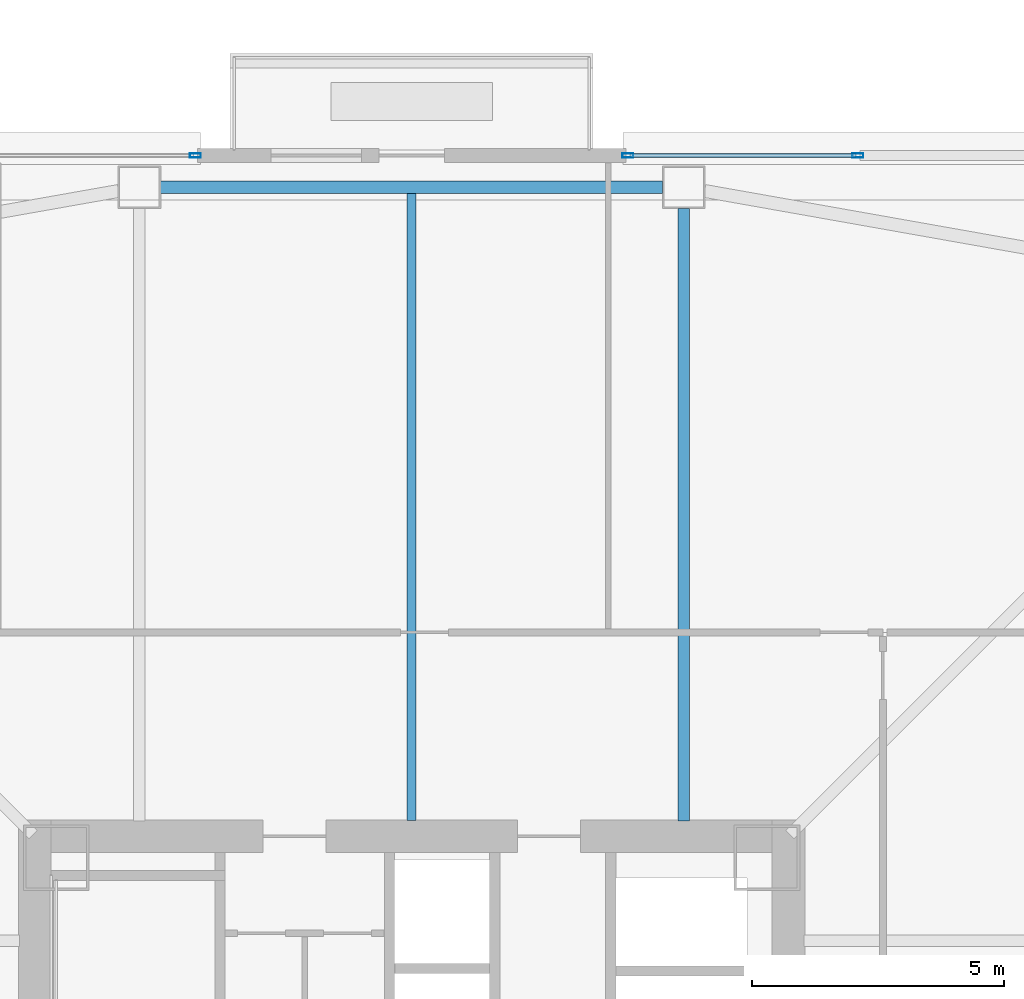
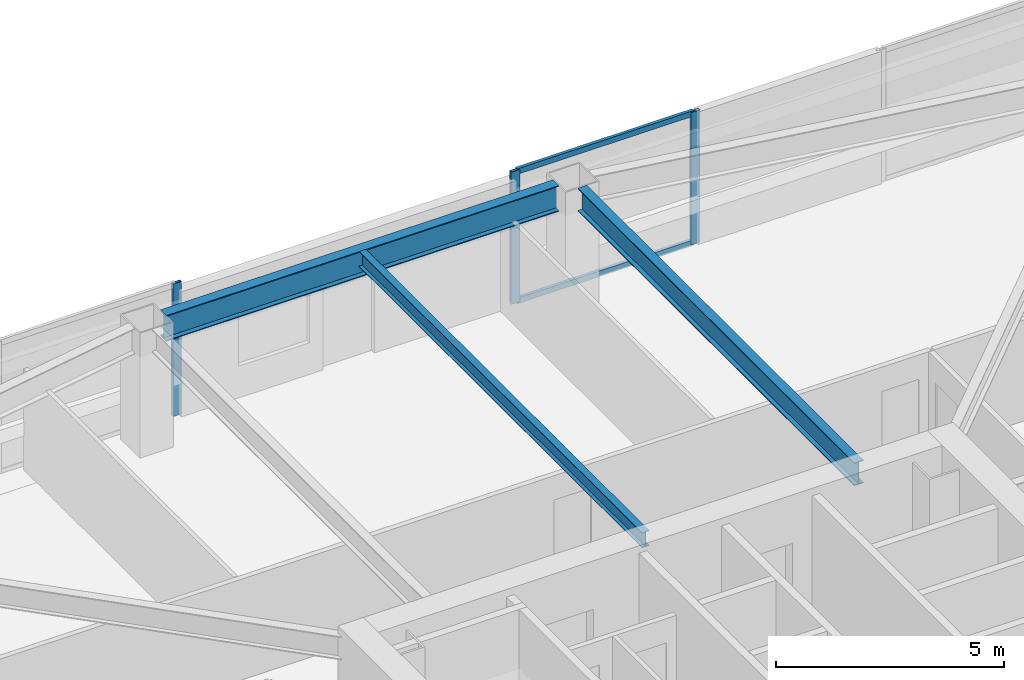
# One storey, part 14 of 47: 5 members, 3 beams, 2 elements without a shape of their own.
"""IFC4 building model written with IfcOpenShell, lengths in metres."""

from ifc_helpers import new_model, si_unit, direction, frame, origin, origin_2d, place, context, subcontext, project, spatial, hollow_rectangle, i_section, extrude, material, material_profile, profile_set, type_object, element, aggregate, save


model = new_model("IFC4")

# Units and contexts
model_context = context("Model", 3, precision=1e-05, world=origin(), true_north=direction((0.0, 1.0)))
body_context = subcontext(model_context, "Body", "Model", "MODEL_VIEW")
ifc_project = project(units=[si_unit("LENGTHUNIT", "METRE"), si_unit("AREAUNIT", "SQUARE_METRE"), si_unit("VOLUMEUNIT", "CUBIC_METRE"), si_unit("PLANEANGLEUNIT", "RADIAN"), si_unit("MASSUNIT", "GRAM", prefix="KILO")], contexts=[model_context])

# Site, building, storey
site_placement = place(None, origin())
site = spatial("IfcSite", under=ifc_project, at=site_placement, CompositionType="ELEMENT")
building_placement = place(site_placement, origin())
building = spatial("IfcBuilding", under=site, at=building_placement, Name="Tashvorn Skyway Center", CompositionType="ELEMENT")
storey_placement = place(building_placement, frame((0.0, 0.0, 81.39990234375)))
storey = spatial("IfcBuildingStorey", under=building, at=storey_placement, Name="L21", CompositionType="ELEMENT", Elevation=81.39990234375)

# Beams
ifc_material_1 = material(Name="Steel ASTM A992 Grade 50", Category="steel")
ifc_material_profile_1 = material_profile(ifc_material_1, i_section(OverallWidth=0.22998046875, OverallDepth=0.616943359375, WebThickness=0.01318359375, FlangeThickness=0.022216796875, at=origin_2d()), Name="W24X94")
ifc_profile_set_1 = profile_set([ifc_material_profile_1], Name="Steel ASTM A992 Grade 50")
beam_type_1 = type_object("IfcBeamType", Name="BM-BEAM-W24X94", PredefinedType="BEAM", material=ifc_profile_set_1)
beam_1_placement = place(storey_placement, frame((47.39990234375, 51.929931640625, 3.04150390625), z_axis=(0.0, -1.0, 0.0), x_axis=(1.0, 0.0, 0.0)))
element("IfcBeam", 1, at=beam_1_placement, inside=storey, type_object=beam_type_1, Name="Tower 1 L21 Primary Floor Girder FC-N1", PredefinedType="BEAM", context=body_context, shape_type="SweptSolid", body=[
    extrude(i_section(OverallWidth=0.22998046875, OverallDepth=0.616943359375, WebThickness=0.01318359375, FlangeThickness=0.022216796875, at=origin_2d()), origin(), (0.0, 0.0, 1.0), 12.14990234375),
])
ifc_material_profile_2 = material_profile(ifc_material_1, i_section(OverallWidth=0.177978515625, OverallDepth=0.406005859375, WebThickness=0.0078125, FlangeThickness=0.0126953125, at=origin_2d()), Name="W16X40")
ifc_profile_set_2 = profile_set([ifc_material_profile_2], Name="Steel ASTM A992 Grade 50")
beam_type_2 = type_object("IfcBeamType", Name="BM-JOIST-W16X40", PredefinedType="JOIST", material=ifc_profile_set_2)
beam_2_placement = place(storey_placement, frame((42.0, 39.7900390625, 3.147216796875), z_axis=(0.0, 1.0, 0.0), x_axis=(-1.0, 0.0, 0.0)))
element("IfcBeam", 2, at=beam_2_placement, inside=storey, type_object=beam_type_2, Name="Tower 1 L21 Secondary Composite Joist JN", PredefinedType="JOIST", context=body_context, shape_type="SweptSolid", body=[
    extrude(i_section(OverallWidth=0.177978515625, OverallDepth=0.406005859375, WebThickness=0.0078125, FlangeThickness=0.0126953125, at=origin_2d()), origin(), (0.0, 0.0, 1.0), 12.43994140625),
])
ifc_material_profile_3 = material_profile(ifc_material_1, i_section(OverallWidth=0.256103515625, OverallDepth=0.693115234375, WebThickness=0.014404296875, FlangeThickness=0.023681640625, at=origin_2d()), Name="W27X114")
ifc_profile_set_3 = profile_set([ifc_material_profile_3], Name="Steel ASTM A992 Grade 50")
beam_type_3 = type_object("IfcBeamType", Name="BM-SPANDREL-W27X114", PredefinedType="SPANDREL", material=ifc_profile_set_3)
beam_3_placement = place(storey_placement, frame((46.97998046875, 52.35009765625, 3.003662109375), z_axis=(-1.0, 0.0, 0.0), x_axis=(0.0, -1.0, 0.0)))
element("IfcBeam", 3, at=beam_3_placement, inside=storey, type_object=beam_type_3, Name="Tower 1 L21 Spandrel Beam 08", PredefinedType="SPANDREL", context=body_context, shape_type="SweptSolid", body=[
    extrude(i_section(OverallWidth=0.256103515625, OverallDepth=0.693115234375, WebThickness=0.014404296875, FlangeThickness=0.023681640625, at=origin_2d()), origin(), (0.0, 0.0, 1.0), 9.9599609375),
])

# Curtain wall, member
ifc_material_2 = material(Name="Thermally broken bronze-anodized aluminium 6063-T6", Category="aluminium")
curtain_wall_type = type_object("IfcCurtainWallType", Name="CW-CW-Z2", PredefinedType="NOTDEFINED", material=ifc_material_2)
curtain_wall_1_placement = place(storey_placement, origin())
curtain_wall_1 = element("IfcCurtainWall", 4, at=curtain_wall_1_placement, inside=storey, type_object=curtain_wall_type, Name="Tower 1 L21 North Curtain Wall L Glazing Group 2", PredefinedType="NOTDEFINED")
ifc_material_profile_4 = material_profile(ifc_material_2, hollow_rectangle(XDim=0.080078125, YDim=0.219970703125, WallThickness=0.0048828125, at=origin_2d()), Name="ALU-MULL-80x220")
ifc_profile_set_4 = profile_set([ifc_material_profile_4], Name="Thermally broken bronze-anodized aluminium 6063-T6")
member_type_1 = type_object("IfcMemberType", Name="CWM-CW-Z2", PredefinedType="MULLION", material=ifc_profile_set_4)
member_1_placement = place(storey_placement, frame((37.7099609375, 52.97998046875, 0.0), z_axis=(0.0, 0.0, 1.0), x_axis=(0.0, 1.0, 0.0)))
member_1 = element("IfcMember", 5, at=member_1_placement, type_object=member_type_1, Name="CW-Z2 mullion 2", PredefinedType="MULLION", context=body_context, shape_type="SweptSolid", body=[
    extrude(hollow_rectangle(XDim=0.080078125, YDim=0.219970703125, WallThickness=0.0048828125, at=origin_2d()), origin(), (0.0, 0.0, 1.0), 3.550048828125),
])
aggregate(curtain_wall_1, [member_1])

# Curtain wall, members
curtain_wall_2_placement = place(storey_placement, origin())
curtain_wall_2 = element("IfcCurtainWall", 6, at=curtain_wall_2_placement, inside=storey, type_object=curtain_wall_type, Name="Tower 1 L21 North Curtain Wall R Glazing Group 1", PredefinedType="NOTDEFINED")
member_2_placement = place(storey_placement, frame((46.2900390625, 52.97998046875, 0.0), z_axis=(0.0, 0.0, 1.0), x_axis=(0.0, 1.0, 0.0)))
member_2 = element("IfcMember", 7, at=member_2_placement, type_object=member_type_1, Name="CW-Z2 mullion 1", PredefinedType="MULLION", context=body_context, shape_type="SweptSolid", body=[
    extrude(hollow_rectangle(XDim=0.080078125, YDim=0.219970703125, WallThickness=0.0048828125, at=origin_2d()), origin(), (0.0, 0.0, 1.0), 3.550048828125),
])
member_3_placement = place(storey_placement, frame((50.853271484375, 52.97998046875, 0.0), z_axis=(0.0, 0.0, 1.0), x_axis=(0.0, 1.0, 0.0)))
member_3 = element("IfcMember", 8, at=member_3_placement, type_object=member_type_1, Name="CW-Z2 mullion 2", PredefinedType="MULLION", context=body_context, shape_type="SweptSolid", body=[
    extrude(hollow_rectangle(XDim=0.080078125, YDim=0.219970703125, WallThickness=0.0048828125, at=origin_2d()), origin(), (0.0, 0.0, 1.0), 3.550048828125),
])
ifc_material_profile_5 = material_profile(ifc_material_2, hollow_rectangle(XDim=0.080078125, YDim=0.14990234375, WallThickness=0.00439453125, at=origin_2d()), Name="ALU-TRAN-80x150")
ifc_profile_set_5 = profile_set([ifc_material_profile_5], Name="Thermally broken bronze-anodized aluminium 6063-T6")
member_type_2 = type_object("IfcMemberType", Name="CWT-CW-Z2", PredefinedType="USERDEFINED", material=ifc_profile_set_5)
member_4_placement = place(storey_placement, frame((46.330078125, 52.97998046875, 0.0400390625), z_axis=(1.0, 0.0, 0.0), x_axis=(0.0, 1.0, 0.0)))
member_4 = element("IfcMember", 9, at=member_4_placement, type_object=member_type_2, Name="CW-Z2 transom 1.1", ObjectType="TRANSOM", PredefinedType="USERDEFINED", context=body_context, shape_type="SweptSolid", body=[
    extrude(hollow_rectangle(XDim=0.080078125, YDim=0.14990234375, WallThickness=0.00439453125, at=origin_2d()), origin(), (0.0, 0.0, 1.0), 4.483154296875),
])
member_5_placement = place(storey_placement, frame((46.330078125, 52.97998046875, 3.510009765625), z_axis=(1.0, 0.0, 0.0), x_axis=(0.0, 1.0, 0.0)))
member_5 = element("IfcMember", 10, at=member_5_placement, type_object=member_type_2, Name="CW-Z2 transom 1.2", ObjectType="TRANSOM", PredefinedType="USERDEFINED", context=body_context, shape_type="SweptSolid", body=[
    extrude(hollow_rectangle(XDim=0.080078125, YDim=0.14990234375, WallThickness=0.00439453125, at=origin_2d()), origin(), (0.0, 0.0, 1.0), 4.483154296875),
])
aggregate(curtain_wall_2, [member_2, member_3, member_4, member_5])

save(model, "model.ifc")
